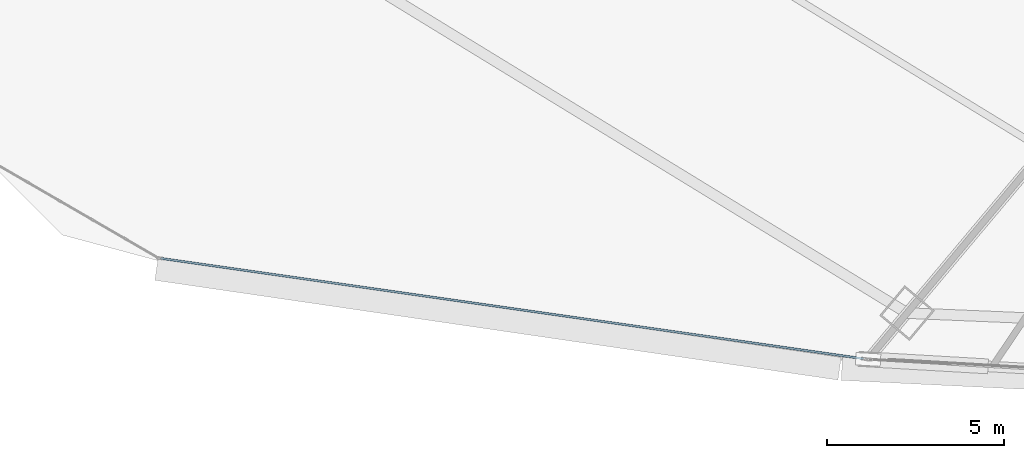
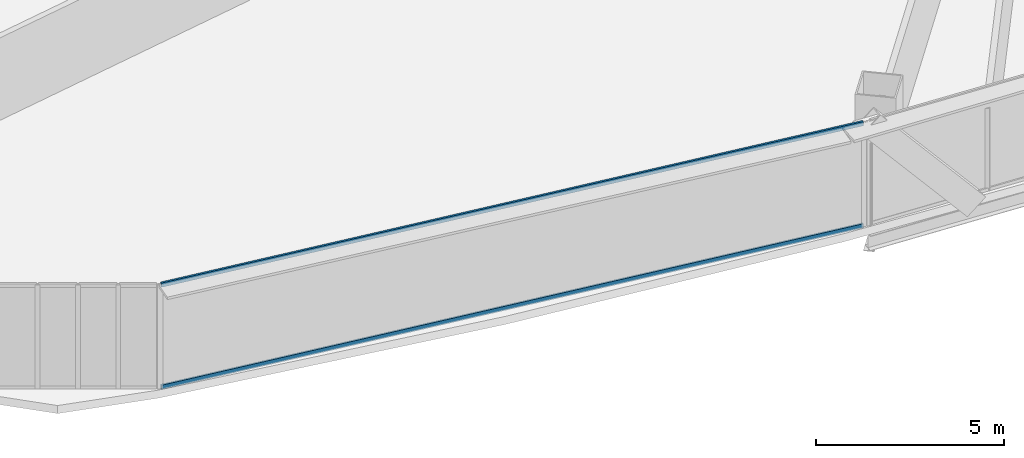
# One storey, part 3 of 42: 2 members, 1 element without a shape of its own.
"""IFC4 building model written with IfcOpenShell, lengths in metres."""

from ifc_helpers import new_model, si_unit, direction, frame, origin, origin_2d, place, context, subcontext, project, spatial, hollow_rectangle, extrude, source, transform, mapped, material, layer, layer_set, material_profile, profile_set, type_object, element, aggregate, save


model = new_model("IFC4")

# Units and contexts
model_context = context("Model", 3, precision=1e-05, world=origin(), true_north=direction((0.0, 1.0)))
body_context = subcontext(model_context, "Body", "Model", "MODEL_VIEW")
ifc_project = project(units=[si_unit("LENGTHUNIT", "METRE"), si_unit("AREAUNIT", "SQUARE_METRE"), si_unit("VOLUMEUNIT", "CUBIC_METRE"), si_unit("PLANEANGLEUNIT", "RADIAN"), si_unit("MASSUNIT", "GRAM", prefix="KILO"), si_unit("THERMODYNAMICTEMPERATUREUNIT", "KELVIN"), si_unit("POWERUNIT", "WATT")], contexts=[model_context])

# Site, building, storey
site_placement = place(None, origin())
site = spatial("IfcSite", under=ifc_project, at=site_placement, CompositionType="ELEMENT")
building_placement = place(site_placement, origin())
building = spatial("IfcBuilding", under=site, at=building_placement, Name="Yunzhuo Pagoda Commons", CompositionType="ELEMENT")
storey_placement = place(building_placement, frame((0.0, 0.0, 44.919921875)))
storey = spatial("IfcBuildingStorey", under=building, at=storey_placement, Name="L11", CompositionType="ELEMENT", Elevation=44.919921875)

# Curtain wall, members
ifc_material = material(Name="Anodized aluminium 6063-T6", Category="aluminium")
ifc_layer = layer(ifc_material, 0.1650390625)
ifc_layer_set = layer_set([ifc_layer], Name="Anodized aluminium 6063-T6")
curtain_wall_type = type_object("IfcCurtainWallType", Name="CW-LOW Low-Zone Ribbon Curtain Wall", PredefinedType="NOTDEFINED", material=ifc_layer_set)
curtain_wall_placement = place(storey_placement, origin())
curtain_wall = element("IfcCurtainWall", 1, at=curtain_wall_placement, inside=storey, type_object=curtain_wall_type, Name="L11 curtain wall CW-L11-F1B1", PredefinedType="NOTDEFINED")
ifc_material_profile = material_profile(ifc_material, hollow_rectangle(XDim=0.06005859375, YDim=0.139892578125, WallThickness=0.00341796875, at=origin_2d()), Name="Anodized aluminium 6063-T6")
ifc_profile_set = profile_set([ifc_material_profile], Name="Anodized aluminium 6063-T6")
member_type = type_object("IfcMemberType", Name="CW-LOW-T Transom RHS 140x60x3.5", PredefinedType="USERDEFINED", material=ifc_profile_set)
shared_shape = source(origin(), body_context, "Body", "SweptSolid", [
    extrude(hollow_rectangle(XDim=0.06005859375, YDim=0.139892578125, WallThickness=0.00341796875, at=origin_2d()), origin(), (0.0, 0.0, 1.0), 20.067138671875),
])
member_1_placement = place(storey_placement, frame((9.396240234375, 14.39208984375, 0.030029296875), z_axis=(0.989939271469, -0.141492893118, 0.0), x_axis=(0.141492893118, 0.989939271469, 0.0)))
member_1 = element("IfcMember", 2, at=member_1_placement, type_object=member_type, Name="CW transom 1.1", ObjectType="TRANSOM", PredefinedType="USERDEFINED", context=body_context, shape_type="MappedRepresentation", body=[
    mapped(shared_shape, transform((0.0, 0.0, 0.0), scale=1.0)),
])
member_2_placement = place(storey_placement, frame((9.396240234375, 14.39208984375, 3.340087890625), z_axis=(0.989939271469, -0.141492893118, 0.0), x_axis=(0.141492893118, 0.989939271469, 0.0)))
member_2 = element("IfcMember", 3, at=member_2_placement, type_object=member_type, Name="CW transom 1.2", ObjectType="TRANSOM", PredefinedType="USERDEFINED", context=body_context, shape_type="MappedRepresentation", body=[
    mapped(shared_shape, transform((0.0, 0.0, 0.0), scale=1.0)),
])
aggregate(curtain_wall, [member_1, member_2])

save(model, "model.ifc")
